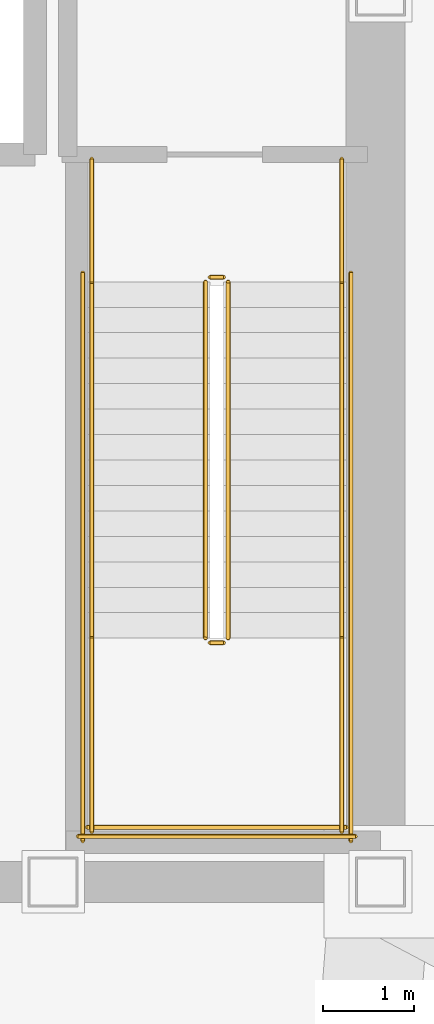
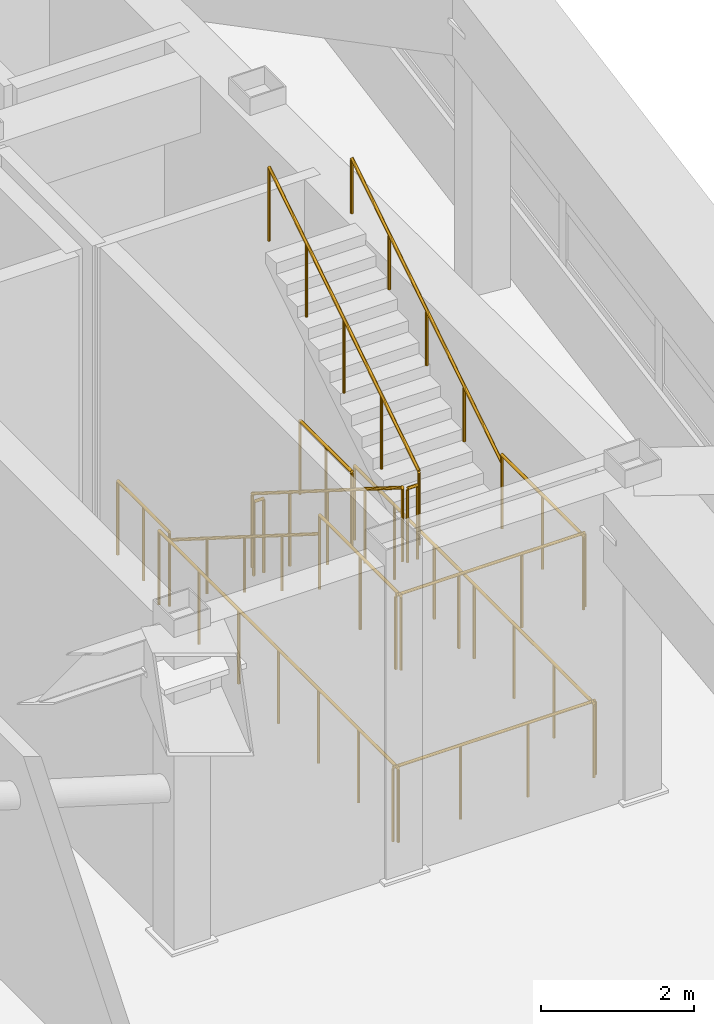
# One storey, part 22 of 22: 14 railings.
"""IFC4 building model written with IfcOpenShell, lengths in metres."""

from ifc_helpers import new_model, si_unit, direction, frame, origin, origin_2d, place, context, subcontext, project, spatial, circle, extrude, material, type_object, element, save


model = new_model("IFC4")

# Units and contexts
model_context = context("Model", 3, precision=1e-05, world=origin(), true_north=direction((0.0, 1.0)))
body_context = subcontext(model_context, "Body", "Model", "MODEL_VIEW")
ifc_project = project(units=[si_unit("LENGTHUNIT", "METRE"), si_unit("AREAUNIT", "SQUARE_METRE"), si_unit("VOLUMEUNIT", "CUBIC_METRE"), si_unit("PLANEANGLEUNIT", "RADIAN"), si_unit("MASSUNIT", "GRAM", prefix="KILO")], contexts=[model_context])

# Site, building, storey
site_placement = place(None, origin())
site = spatial("IfcSite", under=ifc_project, at=site_placement, CompositionType="ELEMENT")
building_placement = place(site_placement, origin())
building = spatial("IfcBuilding", under=site, at=building_placement, Name="Voryun Gate Residences", CompositionType="ELEMENT")
storey_placement = place(building_placement, frame((0.0, 0.0, 310.699951171875)))
storey = spatial("IfcBuildingStorey", under=building, at=storey_placement, Name="L77", CompositionType="ELEMENT", Elevation=310.699951171875)

# Railings
ifc_material_1 = material(Name="Painted steel", Category="steel")
railing_type_1 = type_object("IfcRailingType", Name="RAIL_STAIR_GUARD_1200", PredefinedType="GUARDRAIL", material=ifc_material_1)
railing_1_placement = place(storey_placement, frame((17.27490234375, -0.800048828125, 0.1767578125)))
element("IfcRailing", 1, at=railing_1_placement, inside=storey, type_object=railing_type_1, Name="L77 ST-E1 stair guard 1", PredefinedType="GUARDRAIL", context=body_context, shape_type="SweptSolid", body=[
    extrude(circle(Radius=0.02392578125, at=origin_2d()), frame((0.0, 0.0, 1.17578125), z_axis=(0.0, -0.845717874625, 0.533630280756), x_axis=(1.0, 0.0, 0.0)), (0.0, 0.0, 1.0), 4.635009765625),
    extrude(circle(Radius=0.02099609375, at=origin_2d()), origin(), (0.0, 0.0, 1.0), 1.15185546875),
    extrude(circle(Radius=0.02099609375, at=origin_2d()), frame((0.0, -0.97998046875, 0.618408203125)), (0.0, 0.0, 1.0), 1.15185546875),
    extrude(circle(Radius=0.02099609375, at=origin_2d()), frame((0.0, -1.9599609375, 1.23681640625)), (0.0, 0.0, 1.0), 1.15185546875),
    extrude(circle(Radius=0.02099609375, at=origin_2d()), frame((0.0, -2.93994140625, 1.85498046875)), (0.0, 0.0, 1.0), 1.15185546875),
    extrude(circle(Radius=0.02099609375, at=origin_2d()), frame((0.0, -3.919921875, 2.473388671875)), (0.0, 0.0, 1.0), 1.15185546875),
])
railing_2_placement = place(storey_placement, frame((17.324951171875, -4.77001953125, 2.650146484375)))
element("IfcRailing", 2, at=railing_2_placement, inside=storey, type_object=railing_type_1, Name="L77 ST-E1 stair guard 2", PredefinedType="GUARDRAIL", context=body_context, shape_type="SweptSolid", body=[
    extrude(circle(Radius=0.02392578125, at=origin_2d()), frame((0.0, 0.0, 1.17578125), z_axis=(1.0, 0.0, 0.0), x_axis=(0.0, 1.0, 0.0)), (0.0, 0.0, 1.0), 0.150146484375),
    extrude(circle(Radius=0.02099609375, at=origin_2d()), origin(), (0.0, 0.0, 1.0), 1.15185546875),
    extrude(circle(Radius=0.02099609375, at=origin_2d()), frame((0.150146484375, 0.0, 0.0)), (0.0, 0.0, 1.0), 1.15185546875),
])
for number, where, name in (
    (3, (16.02490234375, -4.719970703125, 2.650146484375), "L77 ST-E1 stair guard 3"),
    (4, (18.77490234375, -4.719970703125, 2.650146484375), "L77 ST-E1 stair guard 4"),
):
    element("IfcRailing", number, at=place(storey_placement, frame(where)), inside=storey, type_object=railing_type_1, Name=name, PredefinedType="GUARDRAIL", context=body_context, shape_type="SweptSolid", body=[
        extrude(circle(Radius=0.02392578125, at=origin_2d()), frame((0.0, 0.0, 1.17578125), z_axis=(0.0, -1.0, 0.0), x_axis=(1.0, 0.0, 0.0)), (0.0, 0.0, 1.0), 2.130126953125),
        extrude(circle(Radius=0.02099609375, at=origin_2d()), origin(), (0.0, 0.0, 1.0), 1.15185546875),
        extrude(circle(Radius=0.02099609375, at=origin_2d()), frame((0.0, -1.06494140625, 0.0)), (0.0, 0.0, 1.0), 1.15185546875),
        extrude(circle(Radius=0.02099609375, at=origin_2d()), frame((0.0, -2.130126953125, 0.0)), (0.0, 0.0, 1.0), 1.15185546875),
    ])
railing_3_placement = place(storey_placement, frame((15.97509765625, -6.800048828125, 2.650146484375)))
element("IfcRailing", 5, at=railing_3_placement, inside=storey, type_object=railing_type_1, Name="L77 ST-E1 stair guard 5", PredefinedType="GUARDRAIL", context=body_context, shape_type="SweptSolid", body=[
    extrude(circle(Radius=0.02392578125, at=origin_2d()), frame((0.0, 0.0, 1.17578125), z_axis=(1.0, 0.0, 0.0), x_axis=(0.0, 1.0, 0.0)), (0.0, 0.0, 1.0), 2.849853515625),
    extrude(circle(Radius=0.02099609375, at=origin_2d()), origin(), (0.0, 0.0, 1.0), 1.15185546875),
    extrude(circle(Radius=0.02099609375, at=origin_2d()), frame((0.949951171875, 0.0, 0.0)), (0.0, 0.0, 1.0), 1.15185546875),
    extrude(circle(Radius=0.02099609375, at=origin_2d()), frame((1.89990234375, 0.0, 0.0)), (0.0, 0.0, 1.0), 1.15185546875),
    extrude(circle(Radius=0.02099609375, at=origin_2d()), frame((2.849853515625, 0.0, 0.0)), (0.0, 0.0, 1.0), 1.15185546875),
])
railing_4_placement = place(storey_placement, frame((17.52490234375, -4.719970703125, 2.82666015625)))
element("IfcRailing", 6, at=railing_4_placement, inside=storey, type_object=railing_type_1, Name="L77 ST-E1 stair guard 6", PredefinedType="GUARDRAIL", context=body_context, shape_type="SweptSolid", body=[
    extrude(circle(Radius=0.02392578125, at=origin_2d()), frame((0.0, 0.0, 1.17578125), z_axis=(0.0, 0.845717874625, 0.533630280756), x_axis=(-1.0, 0.0, 0.0)), (0.0, 0.0, 1.0), 4.635009765625),
    extrude(circle(Radius=0.02099609375, at=origin_2d()), origin(), (0.0, 0.0, 1.0), 1.15185546875),
    extrude(circle(Radius=0.02099609375, at=origin_2d()), frame((0.0, 0.97998046875, 0.618408203125)), (0.0, 0.0, 1.0), 1.15185546875),
    extrude(circle(Radius=0.02099609375, at=origin_2d()), frame((0.0, 1.9599609375, 1.23681640625)), (0.0, 0.0, 1.0), 1.15185546875),
    extrude(circle(Radius=0.02099609375, at=origin_2d()), frame((0.0, 2.93994140625, 1.85498046875)), (0.0, 0.0, 1.0), 1.15185546875),
    extrude(circle(Radius=0.02099609375, at=origin_2d()), frame((0.0, 3.919921875, 2.473388671875)), (0.0, 0.0, 1.0), 1.15185546875),
])
railing_5_placement = place(storey_placement, frame((17.324951171875, -0.75, 0.0)))
element("IfcRailing", 7, at=railing_5_placement, inside=storey, type_object=railing_type_1, Name="L77 ST-E1 stair guard 7", PredefinedType="GUARDRAIL", context=body_context, shape_type="SweptSolid", body=[
    extrude(circle(Radius=0.02392578125, at=origin_2d()), frame((0.0, 0.0, 1.17578125), z_axis=(1.0, 0.0, 0.0), x_axis=(0.0, 1.0, 0.0)), (0.0, 0.0, 1.0), 0.150146484375),
    extrude(circle(Radius=0.02099609375, at=origin_2d()), origin(), (0.0, 0.0, 1.0), 1.15185546875),
    extrude(circle(Radius=0.02099609375, at=origin_2d()), frame((0.150146484375, 0.0, 0.0)), (0.0, 0.0, 1.0), 1.15185546875),
])
for number, where, name in (
    (8, (16.02490234375, 0.550048828125, 0.0), "L77 ST-E1 stair guard 8"),
    (9, (18.77490234375, 0.550048828125, 0.0), "L77 ST-E1 stair guard 9"),
):
    element("IfcRailing", number, at=place(storey_placement, frame(where)), inside=storey, type_object=railing_type_1, Name=name, PredefinedType="GUARDRAIL", context=body_context, shape_type="SweptSolid", body=[
        extrude(circle(Radius=0.02392578125, at=origin_2d()), frame((0.0, 0.0, 1.17578125), z_axis=(0.0, -1.0, 0.0), x_axis=(1.0, 0.0, 0.0)), (0.0, 0.0, 1.0), 1.35009765625),
        extrude(circle(Radius=0.02099609375, at=origin_2d()), origin(), (0.0, 0.0, 1.0), 1.15185546875),
        extrude(circle(Radius=0.02099609375, at=origin_2d()), frame((0.0, -0.675048828125, 0.0)), (0.0, 0.0, 1.0), 1.15185546875),
        extrude(circle(Radius=0.02099609375, at=origin_2d()), frame((0.0, -1.35009765625, 0.0)), (0.0, 0.0, 1.0), 1.15185546875),
    ])
for number, where, name in (
    (10, (15.925048828125, -0.699951171875, 0.0), "L77 ST-E1 stair guard 10"),
    (11, (18.875, -0.699951171875, 0.0), "L77 ST-E1 stair guard 11"),
):
    element("IfcRailing", number, at=place(storey_placement, frame(where)), inside=storey, type_object=railing_type_1, Name=name, PredefinedType="GUARDRAIL", context=body_context, shape_type="SweptSolid", body=[
        extrude(circle(Radius=0.02392578125, at=origin_2d()), frame((0.0, 0.0, 1.17578125), z_axis=(0.0, -1.0, 0.0), x_axis=(1.0, 0.0, 0.0)), (0.0, 0.0, 1.0), 6.25),
        extrude(circle(Radius=0.02099609375, at=origin_2d()), origin(), (0.0, 0.0, 1.0), 1.15185546875),
        extrude(circle(Radius=0.02099609375, at=origin_2d()), frame((0.0, -1.041748046875, 0.0)), (0.0, 0.0, 1.0), 1.15185546875),
        extrude(circle(Radius=0.02099609375, at=origin_2d()), frame((0.0, -2.083251953125, 0.0)), (0.0, 0.0, 1.0), 1.15185546875),
        extrude(circle(Radius=0.02099609375, at=origin_2d()), frame((0.0, -3.125, 0.0)), (0.0, 0.0, 1.0), 1.15185546875),
        extrude(circle(Radius=0.02099609375, at=origin_2d()), frame((0.0, -4.166748046875, 0.0)), (0.0, 0.0, 1.0), 1.15185546875),
        extrude(circle(Radius=0.02099609375, at=origin_2d()), frame((0.0, -5.208251953125, 0.0)), (0.0, 0.0, 1.0), 1.15185546875),
        extrude(circle(Radius=0.02099609375, at=origin_2d()), frame((0.0, -6.25, 0.0)), (0.0, 0.0, 1.0), 1.15185546875),
    ])
railing_6_placement = place(storey_placement, frame((15.875, -6.89990234375, 0.0)))
element("IfcRailing", 12, at=railing_6_placement, inside=storey, type_object=railing_type_1, Name="L77 ST-E1 stair guard 12", PredefinedType="GUARDRAIL", context=body_context, shape_type="SweptSolid", body=[
    extrude(circle(Radius=0.02392578125, at=origin_2d()), frame((0.0, 0.0, 1.17578125), z_axis=(1.0, 0.0, 0.0), x_axis=(0.0, 1.0, 0.0)), (0.0, 0.0, 1.0), 3.050048828125),
    extrude(circle(Radius=0.02099609375, at=origin_2d()), origin(), (0.0, 0.0, 1.0), 1.15185546875),
    extrude(circle(Radius=0.02099609375, at=origin_2d()), frame((1.0166015625, 0.0, 0.0)), (0.0, 0.0, 1.0), 1.15185546875),
    extrude(circle(Radius=0.02099609375, at=origin_2d()), frame((2.033447265625, 0.0, 0.0)), (0.0, 0.0, 1.0), 1.15185546875),
    extrude(circle(Radius=0.02099609375, at=origin_2d()), frame((3.050048828125, 0.0, 0.0)), (0.0, 0.0, 1.0), 1.15185546875),
])
ifc_material_2 = material(Name="Painted steel", Category="steel")
railing_type_2 = type_object("IfcRailingType", Name="RAIL_STAIR_HANDRAIL_900", PredefinedType="HANDRAIL", material=ifc_material_2)
railing_7_placement = place(storey_placement, frame((16.02490234375, -0.800048828125, 0.1767578125)))
element("IfcRailing", 13, at=railing_7_placement, inside=storey, type_object=railing_type_2, Name="L77 ST-E1 stair handrail 1", PredefinedType="HANDRAIL", context=body_context, shape_type="SweptSolid", body=[
    extrude(circle(Radius=0.02392578125, at=origin_2d()), frame((0.0, 0.0, 0.8759765625), z_axis=(0.0, -0.845717874625, 0.533630280756), x_axis=(1.0, 0.0, 0.0)), (0.0, 0.0, 1.0), 4.635009765625),
    extrude(circle(Radius=0.02099609375, at=origin_2d()), origin(), (0.0, 0.0, 1.0), 0.851806640625),
    extrude(circle(Radius=0.02099609375, at=origin_2d()), frame((0.0, -0.97998046875, 0.618408203125)), (0.0, 0.0, 1.0), 0.851806640625),
    extrude(circle(Radius=0.02099609375, at=origin_2d()), frame((0.0, -1.9599609375, 1.23681640625)), (0.0, 0.0, 1.0), 0.851806640625),
    extrude(circle(Radius=0.02099609375, at=origin_2d()), frame((0.0, -2.93994140625, 1.85498046875)), (0.0, 0.0, 1.0), 0.851806640625),
    extrude(circle(Radius=0.02099609375, at=origin_2d()), frame((0.0, -3.919921875, 2.473388671875)), (0.0, 0.0, 1.0), 0.851806640625),
])
railing_8_placement = place(storey_placement, frame((18.77490234375, -4.719970703125, 2.82666015625)))
element("IfcRailing", 14, at=railing_8_placement, inside=storey, type_object=railing_type_2, Name="L77 ST-E1 stair handrail 2", PredefinedType="HANDRAIL", context=body_context, shape_type="SweptSolid", body=[
    extrude(circle(Radius=0.02392578125, at=origin_2d()), frame((0.0, 0.0, 0.8759765625), z_axis=(0.0, 0.845717874625, 0.533630280756), x_axis=(-1.0, 0.0, 0.0)), (0.0, 0.0, 1.0), 4.635009765625),
    extrude(circle(Radius=0.02099609375, at=origin_2d()), origin(), (0.0, 0.0, 1.0), 0.851806640625),
    extrude(circle(Radius=0.02099609375, at=origin_2d()), frame((0.0, 0.97998046875, 0.618408203125)), (0.0, 0.0, 1.0), 0.851806640625),
    extrude(circle(Radius=0.02099609375, at=origin_2d()), frame((0.0, 1.9599609375, 1.23681640625)), (0.0, 0.0, 1.0), 0.851806640625),
    extrude(circle(Radius=0.02099609375, at=origin_2d()), frame((0.0, 2.93994140625, 1.85498046875)), (0.0, 0.0, 1.0), 0.851806640625),
    extrude(circle(Radius=0.02099609375, at=origin_2d()), frame((0.0, 3.919921875, 2.473388671875)), (0.0, 0.0, 1.0), 0.851806640625),
])

save(model, "model.ifc")
